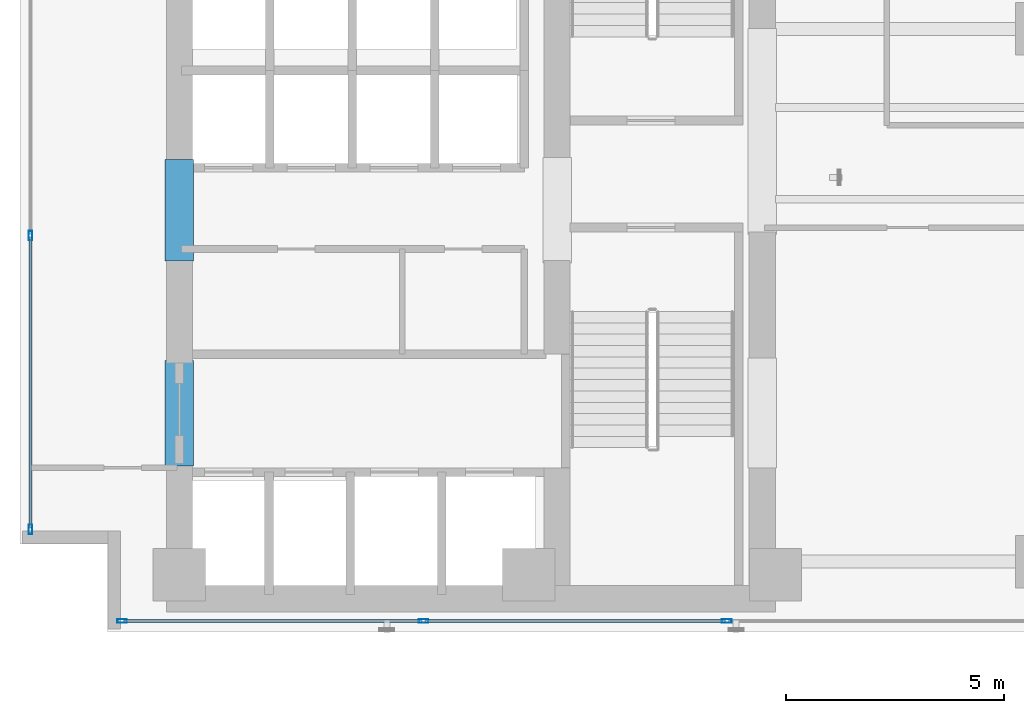
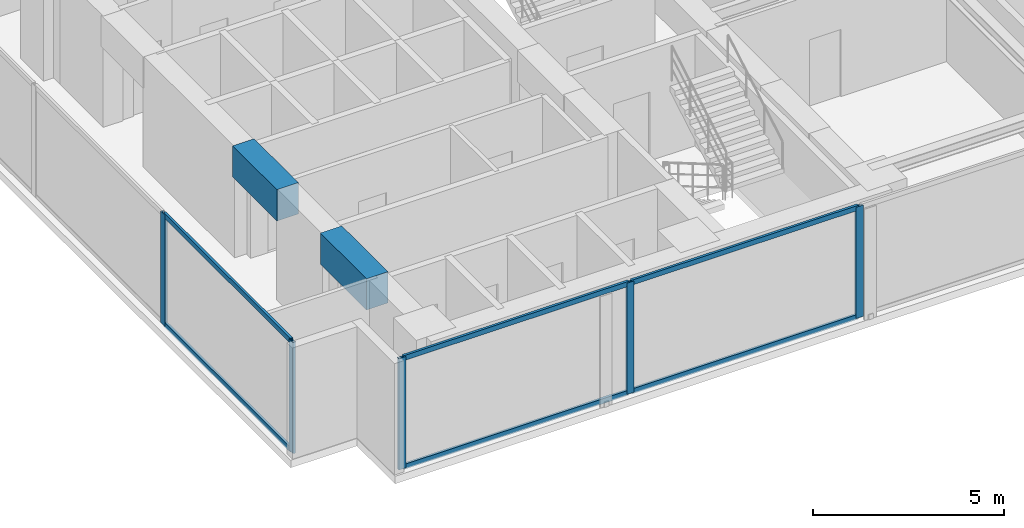
# One storey, part 2 of 27: 11 members, 2 beams, 2 elements without a shape of their own.
"""IFC4 building model written with IfcOpenShell, lengths in metres."""

from ifc_helpers import new_model, si_unit, direction, frame, origin, origin_with_axes, origin_2d, place, context, subcontext, project, spatial, rectangle, hollow_rectangle, extrude, source, transform, mapped, material, layer, layer_set, material_profile, profile_set, type_object, element, aggregate, save


model = new_model("IFC4")

# Units and contexts
model_context = context("Model", 3, precision=1e-05, world=origin(), true_north=direction((0.0, 1.0)))
body_context = subcontext(model_context, "Body", "Model", "MODEL_VIEW")
ifc_project = project(units=[si_unit("LENGTHUNIT", "METRE"), si_unit("AREAUNIT", "SQUARE_METRE"), si_unit("VOLUMEUNIT", "CUBIC_METRE"), si_unit("PLANEANGLEUNIT", "RADIAN"), si_unit("MASSUNIT", "GRAM", prefix="KILO")], contexts=[model_context])

# Site, building, storey
site_placement = place(None, origin())
site = spatial("IfcSite", under=ifc_project, at=site_placement, CompositionType="ELEMENT")
building_placement = place(site_placement, origin())
building = spatial("IfcBuilding", under=site, at=building_placement, Name="Kolvaren Waterfront Exchange", CompositionType="ELEMENT")
storey_placement = place(building_placement, frame((0.0, 0.0, 161.39990234375)))
storey = spatial("IfcBuildingStorey", under=building, at=storey_placement, Name="L41", CompositionType="ELEMENT", Elevation=161.39990234375)

# Beams
ifc_material_1 = material(Name="Concrete C60/75", Category="concrete")
ifc_material_profile_1 = material_profile(ifc_material_1, rectangle(XDim=0.64990234375, YDim=1.0, at=origin_2d()), Name="RC-CB-1000x650")
ifc_profile_set_1 = profile_set([ifc_material_profile_1], Name="Concrete C60/75")
beam_type = type_object("IfcBeamType", Name="STR-CB-1000", PredefinedType="SPANDREL", material=ifc_profile_set_1)
beam_1_placement = place(storey_placement, frame((7.449951171875, 7.389892578125, 3.06005859375), z_axis=(0.0, 1.0, 0.0), x_axis=(-1.0, 0.0, 0.0)))
element("IfcBeam", 1, at=beam_1_placement, inside=storey, type_object=beam_type, Name="L41 core coupling beam 3", PredefinedType="SPANDREL", context=body_context, shape_type="SweptSolid", body=[
    extrude(rectangle(XDim=0.64990234375, YDim=1.0, at=origin_2d()), origin(), (0.0, 0.0, 1.0), 2.420166015625),
])
beam_2_placement = place(storey_placement, frame((7.449951171875, 12.090087890625, 3.06005859375), z_axis=(0.0, 1.0, 0.0), x_axis=(-1.0, 0.0, 0.0)))
element("IfcBeam", 2, at=beam_2_placement, inside=storey, type_object=beam_type, Name="L41 core coupling beam 4", PredefinedType="SPANDREL", context=body_context, shape_type="SweptSolid", body=[
    extrude(rectangle(XDim=0.64990234375, YDim=1.0, at=origin_2d()), origin(), (0.0, 0.0, 1.0), 2.31982421875),
])

# Curtain wall, members
ifc_material_2 = material(Name="Anodised bronze aluminium 6063-T6", Category="aluminium")
ifc_layer_1 = layer(ifc_material_2, 0.219970703125, Name="Anodised bronze aluminium 6063-T6")
ifc_layer_set_1 = layer_set([ifc_layer_1], Name="Anodised bronze aluminium 6063-T6")
curtain_wall_type_1 = type_object("IfcCurtainWallType", Name="ARC-CW-SYS1", PredefinedType="USERDEFINED", material=ifc_layer_set_1)
curtain_wall_1_placement = place(storey_placement, origin())
curtain_wall_1 = element("IfcCurtainWall", 3, at=curtain_wall_1_placement, inside=storey, type_object=curtain_wall_type_1, Name="L41 stick curtain wall CW1 (CW-L41-S)", ObjectType="STICK CURTAIN WALL", PredefinedType="USERDEFINED")
ifc_material_3 = material(Name="Anodised aluminium 6063-T6", Category="aluminium")
ifc_material_profile_2 = material_profile(ifc_material_3, hollow_rectangle(XDim=0.080078125, YDim=0.219970703125, WallThickness=0.0048828125, at=origin_2d()), Name="ALU-MUL-220x80x5")
ifc_profile_set_2 = profile_set([ifc_material_profile_2], Name="Anodised aluminium 6063-T6")
member_type_1 = type_object("IfcMemberType", Name="ARC-CWM-220", PredefinedType="MULLION", material=ifc_profile_set_2)
shared_shape_1 = source(origin_with_axes(), body_context, "Body", "SweptSolid", [
    extrude(hollow_rectangle(XDim=0.080078125, YDim=0.219970703125, WallThickness=0.0048828125, at=origin_2d()), origin(), (0.0, 0.0, 1.0), 3.56005859375),
])
member_1_placement = place(storey_placement, frame((6.139892578125, 3.840087890625, 0.0), z_axis=(0.0, 0.0, 1.0), x_axis=(0.0, 1.0, 0.0)))
member_1 = element("IfcMember", 4, at=member_1_placement, type_object=member_type_1, Name="CW1 mullion 1", PredefinedType="MULLION", context=body_context, shape_type="MappedRepresentation", body=[
    mapped(shared_shape_1, transform((0.0, 0.0, 0.0), x_axis=(1.0, 0.0, 0.0), y_axis=(0.0, 1.0, 0.0), z_axis=(0.0, 0.0, 1.0), scale=1.0)),
])
member_2_placement = place(storey_placement, frame((13.04296875, 3.840087890625, 0.0), z_axis=(0.0, 0.0, 1.0), x_axis=(0.0, 1.0, 0.0)))
member_2 = element("IfcMember", 5, at=member_2_placement, type_object=member_type_1, Name="CW1 mullion 2", PredefinedType="MULLION", context=body_context, shape_type="MappedRepresentation", body=[
    mapped(shared_shape_1, transform((0.0, 0.0, 0.0), x_axis=(1.0, 0.0, 0.0), y_axis=(0.0, 1.0, 0.0), z_axis=(0.0, 0.0, 1.0), scale=1.0)),
])
member_3_placement = place(storey_placement, frame((19.985595703125, 3.840087890625, 0.0), z_axis=(0.0, 0.0, 1.0), x_axis=(0.0, 1.0, 0.0)))
member_3 = element("IfcMember", 6, at=member_3_placement, type_object=member_type_1, Name="CW1 mullion 3", PredefinedType="MULLION", context=body_context, shape_type="MappedRepresentation", body=[
    mapped(shared_shape_1, transform((0.0, 0.0, 0.0), x_axis=(1.0, 0.0, 0.0), y_axis=(0.0, 1.0, 0.0), z_axis=(0.0, 0.0, 1.0), scale=1.0)),
])

ifc_layer_2 = layer(ifc_material_3, 0.219970703125, Name="Anodised aluminium 6063-T6")
ifc_layer_set_2 = layer_set([ifc_layer_2], Name="Anodised aluminium 6063-T6")
curtain_wall_type_2 = type_object("IfcCurtainWallType", Name="ARC-CW-SYS2", PredefinedType="USERDEFINED", material=ifc_layer_set_2)
curtain_wall_2_placement = place(storey_placement, origin())
curtain_wall_2 = element("IfcCurtainWall", 7, at=curtain_wall_2_placement, inside=storey, type_object=curtain_wall_type_2, Name="L41 stick curtain wall CW2 (CW-L41-W)", ObjectType="STICK CURTAIN WALL", PredefinedType="USERDEFINED")
member_4_placement = place(storey_placement, frame((4.0400390625, 5.93994140625, 0.0), z_axis=(0.0, 0.0, 1.0), x_axis=(-1.0, 0.0, 0.0)))
member_4 = element("IfcMember", 8, at=member_4_placement, type_object=member_type_1, Name="CW2 mullion 1", PredefinedType="MULLION", context=body_context, shape_type="MappedRepresentation", body=[
    mapped(shared_shape_1, transform((0.0, 0.0, 0.0), x_axis=(1.0, 0.0, 0.0), y_axis=(0.0, 1.0, 0.0), z_axis=(0.0, 0.0, 1.0), scale=1.0)),
])
member_5_placement = place(storey_placement, frame((4.0400390625, 12.666748046875, 0.0), z_axis=(0.0, 0.0, 1.0), x_axis=(-1.0, 0.0, 0.0)))
member_5 = element("IfcMember", 9, at=member_5_placement, type_object=member_type_1, Name="CW2 mullion 2", PredefinedType="MULLION", context=body_context, shape_type="MappedRepresentation", body=[
    mapped(shared_shape_1, transform((0.0, 0.0, 0.0), x_axis=(1.0, 0.0, 0.0), y_axis=(0.0, 1.0, 0.0), z_axis=(0.0, 0.0, 1.0), scale=1.0)),
])

# Member
ifc_material_profile_3 = material_profile(ifc_material_3, hollow_rectangle(XDim=0.074951171875, YDim=0.159912109375, WallThickness=0.00439453125, at=origin_2d()), Name="ALU-TRN-160x75x4.5")
ifc_profile_set_3 = profile_set([ifc_material_profile_3], Name="Anodised aluminium 6063-T6")
member_type_2 = type_object("IfcMemberType", Name="ARC-CWT-160", PredefinedType="USERDEFINED", material=ifc_profile_set_3)
shared_shape_2 = source(origin_with_axes(), body_context, "Body", "SweptSolid", [
    extrude(hollow_rectangle(XDim=0.074951171875, YDim=0.159912109375, WallThickness=0.00439453125, at=origin_2d()), origin(), (0.0, 0.0, 1.0), 6.822998046875),
])
member_6_placement = place(storey_placement, frame((6.179931640625, 3.840087890625, 0.03759765625), z_axis=(1.0, 0.0, 0.0), x_axis=(0.0, 1.0, 0.0)))
member_6 = element("IfcMember", 10, at=member_6_placement, type_object=member_type_2, Name="CW1 transom 1.1", ObjectType="TRANSOM", PredefinedType="USERDEFINED", context=body_context, shape_type="MappedRepresentation", body=[
    mapped(shared_shape_2, transform((0.0, 0.0, 0.0), x_axis=(1.0, 0.0, 0.0), y_axis=(0.0, 1.0, 0.0), z_axis=(0.0, 0.0, 1.0), scale=1.0)),
])

member_7_placement = place(storey_placement, frame((6.179931640625, 3.840087890625, 3.522705078125), z_axis=(1.0, 0.0, 0.0), x_axis=(0.0, 1.0, 0.0)))
member_7 = element("IfcMember", 11, at=member_7_placement, type_object=member_type_2, Name="CW1 transom 1.2", ObjectType="TRANSOM", PredefinedType="USERDEFINED", context=body_context, shape_type="MappedRepresentation", body=[
    mapped(shared_shape_2, transform((0.0, 0.0, 0.0), x_axis=(1.0, 0.0, 0.0), y_axis=(0.0, 1.0, 0.0), z_axis=(0.0, 0.0, 1.0), scale=1.0)),
])

shared_shape_3 = source(origin_with_axes(), body_context, "Body", "SweptSolid", [
    extrude(hollow_rectangle(XDim=0.074951171875, YDim=0.159912109375, WallThickness=0.00439453125, at=origin_2d()), origin(), (0.0, 0.0, 1.0), 6.863037109375),
])
member_8_placement = place(storey_placement, frame((13.082763671875, 3.840087890625, 0.03759765625), z_axis=(1.0, 0.0, 0.0), x_axis=(0.0, 1.0, 0.0)))
member_8 = element("IfcMember", 12, at=member_8_placement, type_object=member_type_2, Name="CW1 transom 2.1", ObjectType="TRANSOM", PredefinedType="USERDEFINED", context=body_context, shape_type="MappedRepresentation", body=[
    mapped(shared_shape_3, transform((0.0, 0.0, 0.0), x_axis=(1.0, 0.0, 0.0), y_axis=(0.0, 1.0, 0.0), z_axis=(0.0, 0.0, 1.0), scale=1.0)),
])

member_9_placement = place(storey_placement, frame((13.082763671875, 3.840087890625, 3.522705078125), z_axis=(1.0, 0.0, 0.0), x_axis=(0.0, 1.0, 0.0)))
member_9 = element("IfcMember", 13, at=member_9_placement, type_object=member_type_2, Name="CW1 transom 2.2", ObjectType="TRANSOM", PredefinedType="USERDEFINED", context=body_context, shape_type="MappedRepresentation", body=[
    mapped(shared_shape_3, transform((0.0, 0.0, 0.0), x_axis=(1.0, 0.0, 0.0), y_axis=(0.0, 1.0, 0.0), z_axis=(0.0, 0.0, 1.0), scale=1.0)),
])

aggregate(curtain_wall_1, [member_1, member_2, member_3, member_6, member_7, member_8, member_9])

shared_shape_4 = source(origin_with_axes(), body_context, "Body", "SweptSolid", [
    extrude(hollow_rectangle(XDim=0.074951171875, YDim=0.159912109375, WallThickness=0.00439453125, at=origin_2d()), origin(), (0.0, 0.0, 1.0), 6.646728515625),
])
member_10_placement = place(storey_placement, frame((4.0400390625, 5.97998046875, 0.03759765625), z_axis=(0.0, 1.0, 0.0), x_axis=(-1.0, 0.0, 0.0)))
member_10 = element("IfcMember", 14, at=member_10_placement, type_object=member_type_2, Name="CW2 transom 1.1", ObjectType="TRANSOM", PredefinedType="USERDEFINED", context=body_context, shape_type="MappedRepresentation", body=[
    mapped(shared_shape_4, transform((0.0, 0.0, 0.0), x_axis=(1.0, 0.0, 0.0), y_axis=(0.0, 1.0, 0.0), z_axis=(0.0, 0.0, 1.0), scale=1.0)),
])

member_11_placement = place(storey_placement, frame((4.0400390625, 5.97998046875, 3.522705078125), z_axis=(0.0, 1.0, 0.0), x_axis=(-1.0, 0.0, 0.0)))
member_11 = element("IfcMember", 15, at=member_11_placement, type_object=member_type_2, Name="CW2 transom 1.2", ObjectType="TRANSOM", PredefinedType="USERDEFINED", context=body_context, shape_type="MappedRepresentation", body=[
    mapped(shared_shape_4, transform((0.0, 0.0, 0.0), x_axis=(1.0, 0.0, 0.0), y_axis=(0.0, 1.0, 0.0), z_axis=(0.0, 0.0, 1.0), scale=1.0)),
])

aggregate(curtain_wall_2, [member_4, member_5, member_10, member_11])

save(model, "model.ifc")
